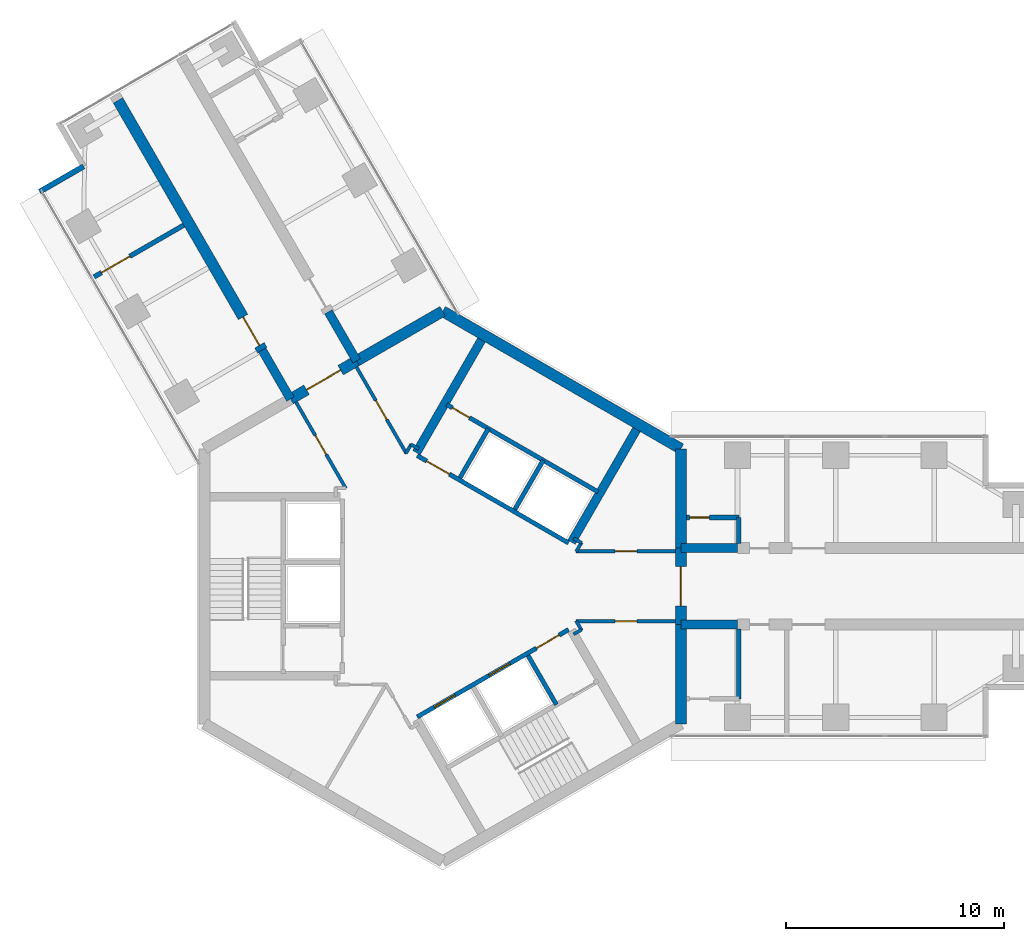
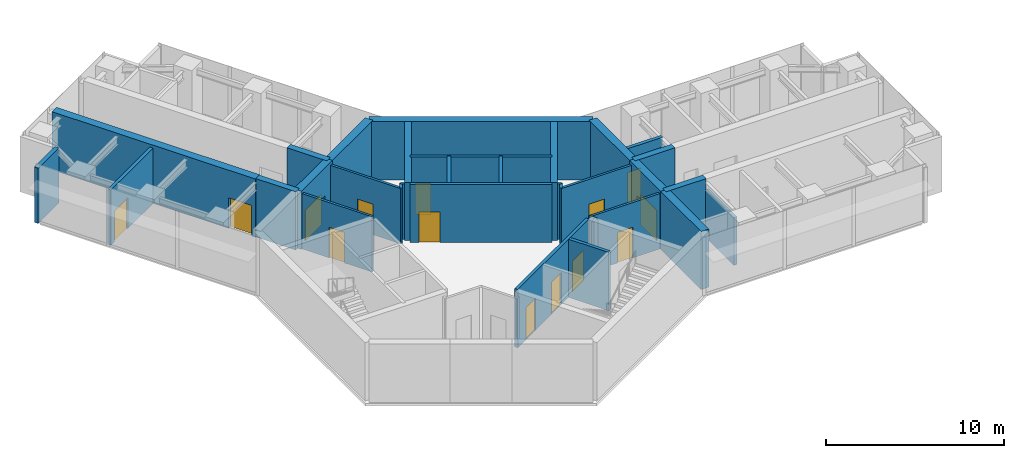
# One storey, part 12 of 17: 34 walls, 14 doors, 14 openings.
"""IFC4 building model written with IfcOpenShell, lengths in metres."""

from ifc_helpers import new_model, si_unit, direction, frame, frame_2d, origin, place, context, subcontext, project, spatial, rectangle, extrude, material, layer, layer_set, type_object, element, fill, save


model = new_model("IFC4")

# Units and contexts
model_context = context("Model", 3, precision=1e-05, world=origin(), true_north=direction((0.0, 1.0)))
body_context = subcontext(model_context, "Body", "Model", "MODEL_VIEW")
ifc_project = project(units=[si_unit("LENGTHUNIT", "METRE"), si_unit("AREAUNIT", "SQUARE_METRE"), si_unit("VOLUMEUNIT", "CUBIC_METRE"), si_unit("PLANEANGLEUNIT", "RADIAN"), si_unit("MASSUNIT", "GRAM", prefix="KILO")], contexts=[model_context])

# Site, building, storey
site_placement = place(None, origin())
site = spatial("IfcSite", under=ifc_project, at=site_placement, CompositionType="ELEMENT")
building_placement = place(site_placement, origin())
building = spatial("IfcBuilding", under=site, at=building_placement, Name="Upepo Twin Towers", CompositionType="ELEMENT")
storey_placement = place(building_placement, frame((0.0, 0.0, 174.5)))
storey = spatial("IfcBuildingStorey", under=building, at=storey_placement, Name="L42", CompositionType="ELEMENT", Elevation=174.5)

# Wall, opening, door
ifc_material_1 = material(Name="Concrete blockwork, plastered both faces", Category="masonry")
ifc_layer_1 = layer(ifc_material_1, 0.215087890625)
ifc_layer_set_1 = layer_set([ifc_layer_1], Name="Blockwork partition 215")
wall_type_1 = type_object("IfcWallType", Name="Blockwork partition 215", PredefinedType="PARTITIONING", material=ifc_layer_set_1)
wall_1_placement = place(storey_placement, frame((11.157958984375, 3.14990234375, 0.0), z_axis=(0.0, 0.0, 1.0), x_axis=(1.0, 0.0, 0.0)))
wall_1 = element("IfcWall", 1, at=wall_1_placement, inside=storey, type_object=wall_type_1, Name="T1 WC bay partition AL at 11.16", PredefinedType="PARTITIONING", context=body_context, shape_type="SweptSolid", body=[
    extrude(rectangle(XDim=2.400146484375, YDim=0.215087890625, at=frame_2d((1.2001953125, 0.0))), origin(), (0.0, 0.0, 1.0), 3.800048828125),
])
opening_1_placement = place(wall_1_placement, frame((0.14990234375, 0.0, 0.0)))
opening_1 = element("IfcOpeningElement", 2, at=opening_1_placement, cuts=wall_1, Name="Opening D14", PredefinedType="OPENING", context=body_context, shape_type="SweptSolid", body=[
    extrude(rectangle(XDim=0.89990234375, YDim=2.10009765625, at=frame_2d((0.449951171875, 1.050048828125))), frame((0.0, 0.117431640625, 0.0), z_axis=(0.0, -1.0, 0.0), x_axis=(1.0, 0.0, 0.0)), (0.0, 0.0, 1.0), 0.235107421875),
])
ifc_material_2 = material(Name="Timber doorset", Category="wood")
door_type_1 = type_object("IfcDoorType", Name="Office door 900 FD30", OperationType="SINGLE_SWING_LEFT", PredefinedType="DOOR", material=ifc_material_2)
door_1_placement = place(opening_1_placement, origin())
door_1 = element("IfcDoor", 3, at=door_1_placement, inside=storey, type_object=door_type_1, Name="T1 L42 WC bay inner room door", OperationType="SINGLE_SWING_LEFT", OverallHeight=2.10009765625, OverallWidth=0.89990234375, PredefinedType="DOOR", context=body_context, shape_type="SweptSolid", body=[
    extrude(rectangle(XDim=0.89990234375, YDim=2.10009765625, at=frame_2d((0.449951171875, 1.050048828125))), frame((0.0, 0.02490234375, 0.0), z_axis=(0.0, -1.0, 0.0), x_axis=(1.0, 0.0, 0.0)), (0.0, 0.0, 1.0), 0.050048828125),
])
fill(opening_1, door_1)

# Walls
wall_2_placement = place(storey_placement, frame((13.55810546875, 1.949951171875, 0.0), z_axis=(0.0, 0.0, 1.0), x_axis=(0.0, 1.0, 0.0)))
element("IfcWall", 4, at=wall_2_placement, inside=storey, type_object=wall_type_1, Name="T1 WC bay partition AL end at 13.56", PredefinedType="PARTITIONING", context=body_context, shape_type="SweptSolid", body=[
    extrude(rectangle(XDim=1.199951171875, YDim=0.215087890625, at=frame_2d((0.60009765625, 0.0))), origin(), (0.0, 0.0, 1.0), 3.266845703125),
])
wall_3_placement = place(storey_placement, frame((13.55810546875, -1.949951171875, 0.0), z_axis=(0.0, 0.0, 1.0), x_axis=(0.0, -1.0, 0.0)))
element("IfcWall", 5, at=wall_3_placement, inside=storey, type_object=wall_type_1, Name="T1 WC bay partition AR end at 13.56", PredefinedType="PARTITIONING", context=body_context, shape_type="SweptSolid", body=[
    extrude(rectangle(XDim=3.199951171875, YDim=0.215087890625, at=frame_2d((1.60009765625, 0.0))), origin(), (0.0, 0.0, 1.0), 3.266845703125),
])

# Wall, opening, door
wall_4_placement = place(storey_placement, frame((-11.85693359375, 16.537109375, 0.0), z_axis=(0.0, 0.0, 1.0), x_axis=(-0.866033238375, -0.499986429846, 0.0)))
wall_4 = element("IfcWall", 6, at=wall_4_placement, inside=storey, type_object=wall_type_1, Name="T1 partition BL at 20.25", PredefinedType="PARTITIONING", context=body_context, shape_type="SweptSolid", body=[
    extrude(rectangle(XDim=4.750244140625, YDim=0.215087890625, at=frame_2d((2.375, 0.0))), origin(), (0.0, 0.0, 1.0), 3.800048828125),
])
opening_2_placement = place(wall_4_placement, frame((2.85009765625, 0.0, 0.0)))
opening_2 = element("IfcOpeningElement", 7, at=opening_2_placement, cuts=wall_4, Name="Opening D13", PredefinedType="OPENING", context=body_context, shape_type="SweptSolid", body=[
    extrude(rectangle(XDim=1.5, YDim=2.10009765625, at=frame_2d((0.75, 1.050048828125))), frame((0.0, 0.117431640625, 0.0), z_axis=(0.0, -1.0, 0.0), x_axis=(1.0, 0.0, 0.0)), (0.0, 0.0, 1.0), 0.235107421875),
])
ifc_material_3 = material(Name="Timber doorset", Category="wood")
door_type_2 = type_object("IfcDoorType", Name="Double door 1500 FD30", OperationType="DOUBLE_DOOR_SINGLE_SWING", PredefinedType="DOOR", material=ifc_material_3)
door_2_placement = place(opening_2_placement, origin())
door_2 = element("IfcDoor", 8, at=door_2_placement, inside=storey, type_object=door_type_2, Name="T1 L42 connecting door", OperationType="DOUBLE_DOOR_SINGLE_SWING", OverallHeight=2.10009765625, OverallWidth=1.5, PredefinedType="DOOR", context=body_context, shape_type="SweptSolid", body=[
    extrude(rectangle(XDim=1.5, YDim=2.10009765625, at=frame_2d((0.75, 1.050048828125))), frame((0.0, 0.02490234375, 0.0), z_axis=(0.0, -1.0, 0.0), x_axis=(1.0, 0.0, 0.0)), (0.0, 0.0, 1.0), 0.050048828125),
])
fill(opening_2, door_2)

# Walls
ifc_material_4 = material(Name="Concrete C60/75", Category="concrete")
ifc_layer_2 = layer(ifc_material_4, 0.39990234375)
ifc_layer_set_2 = layer_set([ifc_layer_2], Name="Concrete C60/75")
wall_type_2 = type_object("IfcWallType", Name="Buttress wall 400 RC", PredefinedType="SHEAR", material=ifc_layer_set_2)
for number, where, z_axis, x_axis, name in (
    (9, (10.908447265625, 1.75, 0.0), (0.0, 0.0, 1.0), (1.0, 0.0, 0.0), "T1 wing A buttress wall L"),
    (10, (10.908447265625, -1.75, 0.0), (0.0, 0.0, 1.0), (1.0, 0.0, 0.0), "T1 wing A buttress wall R"),
):
    element("IfcWall", number, at=place(storey_placement, frame(where, z_axis=z_axis, x_axis=x_axis)), inside=storey, type_object=wall_type_2, Name=name, PredefinedType="SHEAR", context=body_context, shape_type="SweptSolid", body=[
        extrude(rectangle(XDim=2.591552734375, YDim=0.39990234375, at=frame_2d((1.2958984375, 0.0))), origin(), (0.0, 0.0, 1.0), 4.0),
    ])
for number, where, z_axis, x_axis, name in (
    (11, (-6.9697265625, 8.57177734375, 0.0), (0.0, 0.0, 1.0), (-0.499988811324, 0.866031863473, 0.0), "T1 wing B buttress wall L"),
    (12, (-3.938720703125, 10.32177734375, 0.0), (0.0, 0.0, 1.0), (-0.499918158782, 0.866072649678, 0.0), "T1 wing B buttress wall R"),
):
    element("IfcWall", number, at=place(storey_placement, frame(where, z_axis=z_axis, x_axis=x_axis)), inside=storey, type_object=wall_type_2, Name=name, PredefinedType="SHEAR", context=body_context, shape_type="SweptSolid", body=[
        extrude(rectangle(XDim=2.591796875, YDim=0.39990234375, at=frame_2d((1.2958984375, 0.0))), origin(), (0.0, 0.0, 1.0), 4.0),
    ])

# Wall, opening, door
ifc_material_5 = material(Name="Concrete C60/75", Category="concrete")
ifc_layer_3 = layer(ifc_material_5, 0.5)
ifc_layer_set_3 = layer_set([ifc_layer_3], Name="Concrete C60/75")
wall_type_3 = type_object("IfcWallType", Name="Buttress wall 500 RC", PredefinedType="SHEAR", material=ifc_layer_set_3)
wall_5_placement = place(storey_placement, frame((-8.265625, 10.81640625, 0.0), z_axis=(0.0, 0.0, 1.0), x_axis=(-0.499996231654, 0.866027579429, 0.0)))
wall_5 = element("IfcWall", 13, at=wall_5_placement, inside=storey, type_object=wall_type_3, Name="T1 wing B buttress wall L part 2", PredefinedType="SHEAR", context=body_context, shape_type="SweptSolid", body=[
    extrude(rectangle(XDim=13.19970703125, YDim=0.5, at=frame_2d((6.599853515625, 0.0))), origin(), (0.0, 0.0, 1.0), 4.0),
])
opening_3_placement = place(wall_5_placement, frame((0.25, 0.0, 0.0)))
opening_3 = element("IfcOpeningElement", 14, at=opening_3_placement, cuts=wall_5, Name="Opening D13", PredefinedType="OPENING", context=body_context, shape_type="SweptSolid", body=[
    extrude(rectangle(XDim=1.5, YDim=2.10009765625, at=frame_2d((0.75, 1.050048828125))), frame((0.0, 0.260009765625, 0.0), z_axis=(0.0, -1.0, 0.0), x_axis=(1.0, 0.0, 0.0)), (0.0, 0.0, 1.0), 0.52001953125),
])
door_3_placement = place(opening_3_placement, origin())
door_3 = element("IfcDoor", 15, at=door_3_placement, inside=storey, type_object=door_type_2, Name="T1 L42 engineering laboratory door", OperationType="DOUBLE_DOOR_SINGLE_SWING", OverallHeight=2.10009765625, OverallWidth=1.5, PredefinedType="DOOR", context=body_context, shape_type="SweptSolid", body=[
    extrude(rectangle(XDim=1.5, YDim=2.10009765625, at=frame_2d((0.75, 1.050048828125))), frame((0.0, 0.02490234375, 0.0), z_axis=(0.0, -1.0, 0.0), x_axis=(1.0, 0.0, 0.0)), (0.0, 0.0, 1.0), 0.050048828125),
])
fill(opening_3, door_3)

# Wall
ifc_material_6 = material(Name="Concrete C60/75", Category="concrete")
ifc_layer_4 = layer(ifc_material_6, 0.5)
ifc_layer_set_4 = layer_set([ifc_layer_4], Name="Concrete C60/75")
wall_type_4 = type_object("IfcWallType", Name="Core wall 500 RC", PredefinedType="SHEAR", material=ifc_layer_set_4)
wall_6_placement = place(storey_placement, frame((10.908447265625, -6.2978515625, 0.0), z_axis=(0.0, 0.0, 1.0), x_axis=(0.0, 1.0, 0.0)))
element("IfcWall", 16, at=wall_6_placement, inside=storey, type_object=wall_type_4, Name="T1 core wall 000 R", PredefinedType="SHEAR", context=body_context, shape_type="SweptSolid", body=[
    extrude(rectangle(XDim=4.5478515625, YDim=0.5, at=frame_2d((2.27392578125, 0.0))), origin(), (0.0, 0.0, 1.0), 4.0),
])

# Wall, opening, door
wall_7_placement = place(storey_placement, frame((10.908447265625, -1.75, 0.0), z_axis=(0.0, 0.0, 1.0), x_axis=(0.0, 1.0, 0.0)))
wall_7 = element("IfcWall", 17, at=wall_7_placement, inside=storey, type_object=wall_type_4, Name="T1 core wall 000", PredefinedType="SHEAR", context=body_context, shape_type="SweptSolid", body=[
    extrude(rectangle(XDim=3.5, YDim=0.5, at=frame_2d((1.75, 0.0))), origin(), (0.0, 0.0, 1.0), 4.0),
])
opening_4_placement = place(wall_7_placement, frame((0.85009765625, 0.0, 0.0)))
opening_4 = element("IfcOpeningElement", 18, at=opening_4_placement, cuts=wall_7, Name="Opening D2", PredefinedType="OPENING", context=body_context, shape_type="SweptSolid", body=[
    extrude(rectangle(XDim=1.800048828125, YDim=2.10009765625, at=frame_2d((0.89990234375, 1.050048828125))), frame((0.0, 0.260009765625, 0.0), z_axis=(0.0, -1.0, 0.0), x_axis=(1.0, 0.0, 0.0)), (0.0, 0.0, 1.0), 0.52001953125),
])
ifc_material_7 = material(Name="Timber doorset", Category="wood")
door_type_3 = type_object("IfcDoorType", Name="Corridor double door 1800 FD60", OperationType="DOUBLE_DOOR_DOUBLE_SWING", PredefinedType="DOOR", material=ifc_material_7)
door_4_placement = place(opening_4_placement, origin())
door_4 = element("IfcDoor", 19, at=door_4_placement, inside=storey, type_object=door_type_3, Name="T1 L42 wing A corridor door", OperationType="DOUBLE_DOOR_DOUBLE_SWING", OverallHeight=2.10009765625, OverallWidth=1.800048828125, PredefinedType="DOOR", context=body_context, shape_type="SweptSolid", body=[
    extrude(rectangle(XDim=1.800048828125, YDim=2.10009765625, at=frame_2d((0.89990234375, 1.050048828125))), frame((0.0, 0.02490234375, 0.0), z_axis=(0.0, -1.0, 0.0), x_axis=(1.0, 0.0, 0.0)), (0.0, 0.0, 1.0), 0.050048828125),
])
fill(opening_4, door_4)

# Walls
wall_8_placement = place(storey_placement, frame((10.908447265625, 1.75, 0.0), z_axis=(0.0, 0.0, 1.0), x_axis=(0.0, 1.0, 0.0)))
element("IfcWall", 20, at=wall_8_placement, inside=storey, type_object=wall_type_4, Name="T1 core wall 000 L", PredefinedType="SHEAR", context=body_context, shape_type="SweptSolid", body=[
    extrude(rectangle(XDim=4.5478515625, YDim=0.5, at=frame_2d((2.27392578125, 0.0))), origin(), (0.0, 0.0, 1.0), 4.0),
])
wall_9_placement = place(storey_placement, frame((10.908447265625, 6.2978515625, 0.0), z_axis=(0.0, 0.0, 1.0), x_axis=(-0.866021940709, 0.500005998175, 0.0)))
element("IfcWall", 21, at=wall_9_placement, inside=storey, type_object=wall_type_4, Name="T1 core wall 060", PredefinedType="SHEAR", context=body_context, shape_type="SweptSolid", body=[
    extrude(rectangle(XDim=12.595947265625, YDim=0.5, at=frame_2d((6.2978515625, 0.0))), origin(), (0.0, 0.0, 1.0), 4.0),
])
wall_10_placement = place(storey_placement, frame((0.0, 12.595947265625, 0.0), z_axis=(0.0, 0.0, 1.0), x_axis=(-0.866011268655, -0.500024481964, 0.0)))
element("IfcWall", 22, at=wall_10_placement, inside=storey, type_object=wall_type_4, Name="T1 core wall 120 R", PredefinedType="SHEAR", context=body_context, shape_type="SweptSolid", body=[
    extrude(rectangle(XDim=4.548095703125, YDim=0.5, at=frame_2d((2.27392578125, 0.0))), origin(), (0.0, 0.0, 1.0), 4.0),
])

# Wall, opening, door
wall_11_placement = place(storey_placement, frame((-3.938720703125, 10.32177734375, 0.0), z_axis=(0.0, 0.0, 1.0), x_axis=(-0.866019471182, -0.500010275428, 0.0)))
wall_11 = element("IfcWall", 23, at=wall_11_placement, inside=storey, type_object=wall_type_4, Name="T1 core wall 120", PredefinedType="SHEAR", context=body_context, shape_type="SweptSolid", body=[
    extrude(rectangle(XDim=3.5, YDim=0.5, at=frame_2d((1.75, 0.0))), origin(), (0.0, 0.0, 1.0), 4.0),
])
opening_5_placement = place(wall_11_placement, frame((0.85009765625, 0.0, 0.0)))
opening_5 = element("IfcOpeningElement", 24, at=opening_5_placement, cuts=wall_11, Name="Opening D2", PredefinedType="OPENING", context=body_context, shape_type="SweptSolid", body=[
    extrude(rectangle(XDim=1.800048828125, YDim=2.10009765625, at=frame_2d((0.89990234375, 1.050048828125))), frame((0.0, 0.260009765625, 0.0), z_axis=(0.0, -1.0, 0.0), x_axis=(1.0, 0.0, 0.0)), (0.0, 0.0, 1.0), 0.52001953125),
])
door_5_placement = place(opening_5_placement, origin())
door_5 = element("IfcDoor", 25, at=door_5_placement, inside=storey, type_object=door_type_3, Name="T1 L42 wing B corridor door", OperationType="DOUBLE_DOOR_DOUBLE_SWING", OverallHeight=2.10009765625, OverallWidth=1.800048828125, PredefinedType="DOOR", context=body_context, shape_type="SweptSolid", body=[
    extrude(rectangle(XDim=1.800048828125, YDim=2.10009765625, at=frame_2d((0.89990234375, 1.050048828125))), frame((0.0, 0.02490234375, 0.0), z_axis=(0.0, -1.0, 0.0), x_axis=(1.0, 0.0, 0.0)), (0.0, 0.0, 1.0), 0.050048828125),
])
fill(opening_5, door_5)

# Wall
ifc_material_8 = material(Name="Blockwork with anodised aluminium cladding", Category="masonry")
ifc_layer_5 = layer(ifc_material_8, 0.25)
ifc_layer_set_5 = layer_set([ifc_layer_5], Name="Notch cladding wall 250, pale metal")
wall_type_5 = type_object("IfcWallType", Name="Notch cladding wall 250, pale metal", PredefinedType="STANDARD", material=ifc_layer_set_5)
wall_12_placement = place(storey_placement, frame((-18.456298828125, 18.0673828125, 0.0), z_axis=(0.0, 0.0, 1.0), x_axis=(0.865998469481, 0.500046648681, 0.0)))
element("IfcWall", 26, at=wall_12_placement, inside=storey, type_object=wall_type_5, Name="T1 L42 wing B notch wall L1", PredefinedType="STANDARD", context=body_context, shape_type="SweptSolid", body=[
    extrude(rectangle(XDim=2.324951171875, YDim=0.25, at=frame_2d((1.16259765625, 0.0))), origin(), (0.0, 0.0, 1.0), 3.800048828125),
])

# Wall, opening, door
ifc_material_9 = material(Name="Concrete C40/50", Category="concrete")
ifc_layer_6 = layer(ifc_material_9, 0.199951171875)
ifc_layer_set_6 = layer_set([ifc_layer_6], Name="Concrete C40/50")
wall_type_6 = type_object("IfcWallType", Name="Shaft wall 200 RC", PredefinedType="SHEAR", material=ifc_layer_set_6)
wall_13_placement = place(storey_placement, frame((5.76416015625, 1.983642578125, 0.0), z_axis=(0.0, 0.0, 1.0), x_axis=(-0.866026010844, 0.49999894854, 0.0)))
wall_13 = element("IfcWall", 27, at=wall_13_placement, inside=storey, type_object=wall_type_6, Name="T1 core W60 front wall", PredefinedType="SHEAR", context=body_context, shape_type="SweptSolid", body=[
    extrude(rectangle(XDim=8.0, YDim=0.199951171875, at=frame_2d((4.0, 0.0))), origin(), (0.0, 0.0, 1.0), 4.0),
])
opening_6_placement = place(wall_13_placement, frame((6.300048828125, 0.0, 0.0)))
opening_6 = element("IfcOpeningElement", 28, at=opening_6_placement, cuts=wall_13, Name="Opening D4", PredefinedType="OPENING", context=body_context, shape_type="SweptSolid", body=[
    extrude(rectangle(XDim=1.199951171875, YDim=2.10009765625, at=frame_2d((0.60009765625, 1.050048828125))), frame((0.0, 0.10986328125, 0.0), z_axis=(0.0, -1.0, 0.0), x_axis=(1.0, 0.0, 0.0)), (0.0, 0.0, 1.0), 0.219970703125),
])
ifc_material_10 = material(Name="Timber doorset", Category="wood")
door_type_4 = type_object("IfcDoorType", Name="Lobby door 1200 FD60", OperationType="SINGLE_SWING_LEFT", PredefinedType="DOOR", material=ifc_material_10)
door_6_placement = place(opening_6_placement, origin())
door_6 = element("IfcDoor", 29, at=door_6_placement, inside=storey, type_object=door_type_4, Name="T1 L42 W60 lobby door", OperationType="SINGLE_SWING_RIGHT", OverallHeight=2.10009765625, OverallWidth=1.199951171875, PredefinedType="DOOR", context=body_context, shape_type="SweptSolid", body=[
    extrude(rectangle(XDim=1.199951171875, YDim=2.10009765625, at=frame_2d((0.60009765625, 1.050048828125))), frame((0.0, 0.02490234375, 0.0), z_axis=(0.0, -1.0, 0.0), x_axis=(1.0, 0.0, 0.0)), (0.0, 0.0, 1.0), 0.050048828125),
])
fill(opening_6, door_6)

# Walls
for number, where, z_axis, x_axis, name in (
    (30, (3.302734375, 3.520263671875, 0.0), (0.0, 0.0, 1.0), (0.499936506574, 0.866062058628, 0.0), "T1 core W60 shaft divider"),
    (31, (0.791259765625, 4.97021484375, 0.0), (0.0, 0.0, 1.0), (0.499936506574, 0.866062058628, 0.0), "T1 core W60 lobby wall"),
):
    element("IfcWall", number, at=place(storey_placement, frame(where, z_axis=z_axis, x_axis=x_axis)), inside=storey, type_object=wall_type_6, Name=name, PredefinedType="SHEAR", context=body_context, shape_type="SweptSolid", body=[
        extrude(rectangle(XDim=2.599853515625, YDim=0.199951171875, at=frame_2d((1.2998046875, 0.0))), origin(), (0.0, 0.0, 1.0), 4.0),
    ])

# Wall, opening, door
wall_14_placement = place(storey_placement, frame((7.114013671875, 4.322021484375, 0.0), z_axis=(0.0, 0.0, 1.0), x_axis=(-0.866026010844, 0.49999894854, 0.0)))
wall_14 = element("IfcWall", 32, at=wall_14_placement, inside=storey, type_object=wall_type_6, Name="T1 core W60 stair wall", PredefinedType="SHEAR", context=body_context, shape_type="SweptSolid", body=[
    extrude(rectangle(XDim=8.0, YDim=0.199951171875, at=frame_2d((4.0, 0.0))), origin(), (0.0, 0.0, 1.0), 4.0),
])
opening_7_placement = place(wall_14_placement, frame((6.800048828125, 0.0, 0.0)))
opening_7 = element("IfcOpeningElement", 33, at=opening_7_placement, cuts=wall_14, Name="Opening D9", PredefinedType="OPENING", context=body_context, shape_type="SweptSolid", body=[
    extrude(rectangle(XDim=0.89990234375, YDim=2.10009765625, at=frame_2d((0.449951171875, 1.050048828125))), frame((0.0, 0.10986328125, 0.0), z_axis=(0.0, -1.0, 0.0), x_axis=(1.0, 0.0, 0.0)), (0.0, 0.0, 1.0), 0.219970703125),
])
ifc_material_11 = material(Name="Timber doorset", Category="wood")
door_type_5 = type_object("IfcDoorType", Name="Riser door 900 FD60", OperationType="SINGLE_SWING_LEFT", PredefinedType="DOOR", material=ifc_material_11)
door_7_placement = place(opening_7_placement, origin())
door_7 = element("IfcDoor", 34, at=door_7_placement, inside=storey, type_object=door_type_5, Name="T1 L42 riser door", OperationType="SINGLE_SWING_RIGHT", OverallHeight=2.10009765625, OverallWidth=0.89990234375, PredefinedType="DOOR", context=body_context, shape_type="SweptSolid", body=[
    extrude(rectangle(XDim=0.89990234375, YDim=2.10009765625, at=frame_2d((0.449951171875, 1.050048828125))), frame((0.0, 0.02490234375, 0.0), z_axis=(0.0, -1.0, 0.0), x_axis=(1.0, 0.0, 0.0)), (0.0, 0.0, 1.0), 0.050048828125),
])
fill(opening_7, door_7)

# Wall, openings, doors
wall_15_placement = place(storey_placement, frame((-1.1640625, -5.983642578125, 0.0), z_axis=(0.0, 0.0, 1.0), x_axis=(0.866026010844, 0.49999894854, 0.0)))
wall_15 = element("IfcWall", 35, at=wall_15_placement, inside=storey, type_object=wall_type_6, Name="T1 core W300 front wall", PredefinedType="SHEAR", context=body_context, shape_type="SweptSolid", body=[
    extrude(rectangle(XDim=8.0, YDim=0.199951171875, at=frame_2d((4.0, 0.0))), origin(), (0.0, 0.0, 1.0), 4.0),
])
opening_8_placement = place(wall_15_placement, frame((6.300048828125, 0.0, 0.0)))
opening_8 = element("IfcOpeningElement", 36, at=opening_8_placement, cuts=wall_15, Name="Opening D4", PredefinedType="OPENING", context=body_context, shape_type="SweptSolid", body=[
    extrude(rectangle(XDim=1.199951171875, YDim=2.10009765625, at=frame_2d((0.60009765625, 1.050048828125))), frame((0.0, 0.10986328125, 0.0), z_axis=(0.0, -1.0, 0.0), x_axis=(1.0, 0.0, 0.0)), (0.0, 0.0, 1.0), 0.219970703125),
])
opening_9_placement = place(wall_15_placement, frame((0.89990234375, 0.0, 0.0)))
opening_9 = element("IfcOpeningElement", 37, at=opening_9_placement, cuts=wall_15, Name="Opening LD1", PredefinedType="OPENING", context=body_context, shape_type="SweptSolid", body=[
    extrude(rectangle(XDim=1.10009765625, YDim=2.199951171875, at=frame_2d((0.550048828125, 1.10009765625))), frame((0.0, 0.10986328125, 0.0), z_axis=(0.0, -1.0, 0.0), x_axis=(1.0, 0.0, 0.0)), (0.0, 0.0, 1.0), 0.219970703125),
])
opening_10_placement = place(wall_15_placement, frame((3.800048828125, 0.0, 0.0)))
opening_10 = element("IfcOpeningElement", 38, at=opening_10_placement, cuts=wall_15, Name="Opening LD1", PredefinedType="OPENING", context=body_context, shape_type="SweptSolid", body=[
    extrude(rectangle(XDim=1.10009765625, YDim=2.199951171875, at=frame_2d((0.550048828125, 1.10009765625))), frame((0.0, 0.10986328125, 0.0), z_axis=(0.0, -1.0, 0.0), x_axis=(1.0, 0.0, 0.0)), (0.0, 0.0, 1.0), 0.219970703125),
])
ifc_material_12 = material(Name="Steel doorset", Category="steel")
door_type_6 = type_object("IfcDoorType", Name="Lift landing door 1100", OperationType="DOUBLE_DOOR_SLIDING", PredefinedType="DOOR", material=ifc_material_12)
door_8_placement = place(opening_9_placement, origin())
door_8 = element("IfcDoor", 39, at=door_8_placement, inside=storey, type_object=door_type_6, Name="T1 L42 lift UL1 landing door", OperationType="DOUBLE_DOOR_SLIDING", OverallHeight=2.199951171875, OverallWidth=1.10009765625, PredefinedType="DOOR", context=body_context, shape_type="SweptSolid", body=[
    extrude(rectangle(XDim=1.10009765625, YDim=2.199951171875, at=frame_2d((0.550048828125, 1.10009765625))), frame((0.0, 0.02490234375, 0.0), z_axis=(0.0, -1.0, 0.0), x_axis=(1.0, 0.0, 0.0)), (0.0, 0.0, 1.0), 0.050048828125),
])
fill(opening_9, door_8)
door_9_placement = place(opening_10_placement, origin())
door_9 = element("IfcDoor", 40, at=door_9_placement, inside=storey, type_object=door_type_6, Name="T1 L42 lift UL2 landing door", OperationType="DOUBLE_DOOR_SLIDING", OverallHeight=2.199951171875, OverallWidth=1.10009765625, PredefinedType="DOOR", context=body_context, shape_type="SweptSolid", body=[
    extrude(rectangle(XDim=1.10009765625, YDim=2.199951171875, at=frame_2d((0.550048828125, 1.10009765625))), frame((0.0, 0.02490234375, 0.0), z_axis=(0.0, -1.0, 0.0), x_axis=(1.0, 0.0, 0.0)), (0.0, 0.0, 1.0), 0.050048828125),
])
fill(opening_10, door_9)
door_10_placement = place(opening_8_placement, origin())
door_10 = element("IfcDoor", 41, at=door_10_placement, inside=storey, type_object=door_type_4, Name="T1 L42 W300 lobby door", OperationType="SINGLE_SWING_RIGHT", OverallHeight=2.10009765625, OverallWidth=1.199951171875, PredefinedType="DOOR", context=body_context, shape_type="SweptSolid", body=[
    extrude(rectangle(XDim=1.199951171875, YDim=2.10009765625, at=frame_2d((0.60009765625, 1.050048828125))), frame((0.0, 0.02490234375, 0.0), z_axis=(0.0, -1.0, 0.0), x_axis=(1.0, 0.0, 0.0)), (0.0, 0.0, 1.0), 0.050048828125),
])
fill(opening_8, door_10)

# Walls
wall_16_placement = place(storey_placement, frame((3.908935546875, -3.17041015625, 0.0), z_axis=(0.0, 0.0, 1.0), x_axis=(0.49997716683, -0.86603858612, 0.0)))
element("IfcWall", 42, at=wall_16_placement, inside=storey, type_object=wall_type_6, Name="T1 core W300 lobby wall", PredefinedType="SHEAR", context=body_context, shape_type="SweptSolid", body=[
    extrude(rectangle(XDim=2.599609375, YDim=0.199951171875, at=frame_2d((1.2998046875, 0.0))), origin(), (0.0, 0.0, 1.0), 4.0),
])
ifc_material_13 = material(Name="Concrete C40/50", Category="concrete")
ifc_layer_7 = layer(ifc_material_13, 0.39990234375)
ifc_layer_set_7 = layer_set([ifc_layer_7], Name="Concrete C40/50")
wall_type_7 = type_object("IfcWallType", Name="Shaft wall 400 RC", PredefinedType="SHEAR", material=ifc_layer_set_7)
wall_17_placement = place(storey_placement, frame((-1.20068359375, 6.120361328125, 0.0), z_axis=(0.0, 0.0, 1.0), x_axis=(0.500021575205, 0.866012946976, 0.0)))
element("IfcWall", 43, at=wall_17_placement, inside=storey, type_object=wall_type_7, Name="T1 core W60 side wall N", PredefinedType="SHEAR", context=body_context, shape_type="SweptSolid", body=[
    extrude(rectangle(XDim=5.958251953125, YDim=0.39990234375, at=frame_2d((2.97900390625, 0.0))), origin(), (0.0, 0.0, 1.0), 4.0),
])
wall_18_placement = place(storey_placement, frame((5.900634765625, 2.020263671875, 0.0), z_axis=(0.0, 0.0, 1.0), x_axis=(0.500003832394, 0.86602319114, 0.0)))
element("IfcWall", 44, at=wall_18_placement, inside=storey, type_object=wall_type_7, Name="T1 core W60 side wall S", PredefinedType="SHEAR", context=body_context, shape_type="SweptSolid", body=[
    extrude(rectangle(XDim=5.95849609375, YDim=0.39990234375, at=frame_2d((2.979248046875, 0.0))), origin(), (0.0, 0.0, 1.0), 4.0),
])
ifc_material_14 = material(Name="Gypsum board on steel studs", Category="steel")
ifc_layer_8 = layer(ifc_material_14, 0.14990234375)
ifc_layer_set_8 = layer_set([ifc_layer_8], Name="Teaching partition 150 acoustic")
wall_type_8 = type_object("IfcWallType", Name="Teaching partition 150 acoustic", PredefinedType="PARTITIONING", material=ifc_layer_set_8)
wall_19_placement = place(storey_placement, frame((6.364501953125, -1.9833984375, 0.0), z_axis=(0.0, 0.0, 1.0), x_axis=(-0.865892400268, -0.500230298122, 0.0)))
element("IfcWall", 45, at=wall_19_placement, inside=storey, type_object=wall_type_8, Name="T1 core room partition 1", PredefinedType="PARTITIONING", context=body_context, shape_type="SweptSolid", body=[
    extrude(rectangle(XDim=0.429931640625, YDim=0.14990234375, at=frame_2d((0.21484375, 0.0))), origin(), (0.0, 0.0, 1.0), 3.800048828125),
])

# Wall, opening, door
wall_20_placement = place(storey_placement, frame((-4.435546875, 4.482666015625, 0.0), z_axis=(0.0, 0.0, 1.0), x_axis=(-0.500001558674, 0.866024503882, 0.0)))
wall_20 = element("IfcWall", 46, at=wall_20_placement, inside=storey, type_object=wall_type_8, Name="T1 core room partition 8", PredefinedType="PARTITIONING", context=body_context, shape_type="SweptSolid", body=[
    extrude(rectangle(XDim=4.568359375, YDim=0.14990234375, at=frame_2d((2.2841796875, 0.0))), origin(), (0.0, 0.0, 1.0), 3.800048828125),
])
opening_11_placement = place(wall_20_placement, frame((1.794189453125, 0.0, 0.0)))
opening_11 = element("IfcOpeningElement", 47, at=opening_11_placement, cuts=wall_20, Name="Opening D1", PredefinedType="OPENING", context=body_context, shape_type="SweptSolid", body=[
    extrude(rectangle(XDim=1.0, YDim=2.10009765625, at=frame_2d((0.5, 1.050048828125))), frame((0.0, 0.0849609375, 0.0), z_axis=(0.0, -1.0, 0.0), x_axis=(1.0, 0.0, 0.0)), (0.0, 0.0, 1.0), 0.169921875),
])
ifc_material_15 = material(Name="Timber doorset", Category="wood")
door_type_7 = type_object("IfcDoorType", Name="Room door 1000 FD30", OperationType="SINGLE_SWING_LEFT", PredefinedType="DOOR", material=ifc_material_15)
door_11_placement = place(opening_11_placement, origin())
door_11 = element("IfcDoor", 48, at=door_11_placement, inside=storey, type_object=door_type_7, Name="T1 L42 core room door K6", OperationType="SINGLE_SWING_RIGHT", OverallHeight=2.10009765625, OverallWidth=1.0, PredefinedType="DOOR", context=body_context, shape_type="SweptSolid", body=[
    extrude(rectangle(XDim=1.0, YDim=2.10009765625, at=frame_2d((0.5, 1.050048828125))), frame((0.0, 0.02490234375, 0.0), z_axis=(0.0, -1.0, 0.0), x_axis=(1.0, 0.0, 0.0)), (0.0, 0.0, 1.0), 0.050048828125),
])
fill(opening_11, door_11)

wall_21_placement = place(storey_placement, frame((-3.948486328125, 10.0390625, 0.0), z_axis=(0.0, 0.0, 1.0), x_axis=(0.500001558674, -0.866024503882, 0.0)))
wall_21 = element("IfcWall", 49, at=wall_21_placement, inside=storey, type_object=wall_type_8, Name="T1 core room partition 9", PredefinedType="PARTITIONING", context=body_context, shape_type="SweptSolid", body=[
    extrude(rectangle(XDim=4.568359375, YDim=0.14990234375, at=frame_2d((2.2841796875, 0.0))), origin(), (0.0, 0.0, 1.0), 3.800048828125),
])
opening_12_placement = place(wall_21_placement, frame((1.774169921875, 0.0, 0.0)))
opening_12 = element("IfcOpeningElement", 50, at=opening_12_placement, cuts=wall_21, Name="Opening D1", PredefinedType="OPENING", context=body_context, shape_type="SweptSolid", body=[
    extrude(rectangle(XDim=1.0, YDim=2.10009765625, at=frame_2d((0.5, 1.050048828125))), frame((0.0, 0.0849609375, 0.0), z_axis=(0.0, -1.0, 0.0), x_axis=(1.0, 0.0, 0.0)), (0.0, 0.0, 1.0), 0.169921875),
])
door_12_placement = place(opening_12_placement, origin())
door_12 = element("IfcDoor", 51, at=door_12_placement, inside=storey, type_object=door_type_7, Name="T1 L42 core room door K5", OperationType="SINGLE_SWING_LEFT", OverallHeight=2.10009765625, OverallWidth=1.0, PredefinedType="DOOR", context=body_context, shape_type="SweptSolid", body=[
    extrude(rectangle(XDim=1.0, YDim=2.10009765625, at=frame_2d((0.5, 1.050048828125))), frame((0.0, 0.02490234375, 0.0), z_axis=(0.0, -1.0, 0.0), x_axis=(1.0, 0.0, 0.0)), (0.0, 0.0, 1.0), 0.050048828125),
])
fill(opening_12, door_12)

# Walls
wall_22_placement = place(storey_placement, frame((-1.684326171875, 6.082763671875, 0.0), z_axis=(0.0, 0.0, 1.0), x_axis=(0.50033519877, 0.865831790172, 0.0)))
element("IfcWall", 52, at=wall_22_placement, inside=storey, type_object=wall_type_8, Name="T1 core room partition 10", PredefinedType="PARTITIONING", context=body_context, shape_type="SweptSolid", body=[
    extrude(rectangle(XDim=0.494384765625, YDim=0.14990234375, at=frame_2d((0.2470703125, 0.0))), origin(), (0.0, 0.0, 1.0), 3.800048828125),
])
for number, where, z_axis, x_axis, name in (
    (53, (-1.46435546875, 6.50341796875, 0.0), (0.0, 0.0, 1.0), (0.866138304741, -0.499804398801, 0.0), "T1 core room partition 11"),
    (54, (5.9921875, 2.198486328125, 0.0), (0.0, 0.0, 1.0), (0.865892400268, -0.500230298122, 0.0), "T1 core room partition 12"),
):
    element("IfcWall", number, at=place(storey_placement, frame(where, z_axis=z_axis, x_axis=x_axis)), inside=storey, type_object=wall_type_8, Name=name, PredefinedType="PARTITIONING", context=body_context, shape_type="SweptSolid", body=[
        extrude(rectangle(XDim=0.429931640625, YDim=0.14990234375, at=frame_2d((0.21484375, 0.0))), origin(), (0.0, 0.0, 1.0), 3.800048828125),
    ])
wall_23_placement = place(storey_placement, frame((6.357177734375, 2.0107421875, 0.0), z_axis=(0.0, 0.0, 1.0), x_axis=(-0.50033519877, -0.865831790172, 0.0)))
element("IfcWall", 55, at=wall_23_placement, inside=storey, type_object=wall_type_8, Name="T1 core room partition 13", PredefinedType="PARTITIONING", context=body_context, shape_type="SweptSolid", body=[
    extrude(rectangle(XDim=0.494384765625, YDim=0.14990234375, at=frame_2d((0.2470703125, 0.0))), origin(), (0.0, 0.0, 1.0), 3.800048828125),
])

# Wall, opening, door
wall_24_placement = place(storey_placement, frame((6.099853515625, 1.60009765625, 0.0), z_axis=(0.0, 0.0, 1.0), x_axis=(1.0, 0.0, 0.0)))
wall_24 = element("IfcWall", 56, at=wall_24_placement, inside=storey, type_object=wall_type_8, Name="T1 core room partition 14", PredefinedType="PARTITIONING", context=body_context, shape_type="SweptSolid", body=[
    extrude(rectangle(XDim=4.568359375, YDim=0.14990234375, at=frame_2d((2.2841796875, 0.0))), origin(), (0.0, 0.0, 1.0), 3.800048828125),
])
opening_13_placement = place(wall_24_placement, frame((1.79443359375, 0.0, 0.0)))
opening_13 = element("IfcOpeningElement", 57, at=opening_13_placement, cuts=wall_24, Name="Opening D1", PredefinedType="OPENING", context=body_context, shape_type="SweptSolid", body=[
    extrude(rectangle(XDim=1.0, YDim=2.10009765625, at=frame_2d((0.5, 1.050048828125))), frame((0.0, 0.0849609375, 0.0), z_axis=(0.0, -1.0, 0.0), x_axis=(1.0, 0.0, 0.0)), (0.0, 0.0, 1.0), 0.169921875),
])
door_13_placement = place(opening_13_placement, origin())
door_13 = element("IfcDoor", 58, at=door_13_placement, inside=storey, type_object=door_type_7, Name="T1 L42 core room door K4", OperationType="SINGLE_SWING_RIGHT", OverallHeight=2.10009765625, OverallWidth=1.0, PredefinedType="DOOR", context=body_context, shape_type="SweptSolid", body=[
    extrude(rectangle(XDim=1.0, YDim=2.10009765625, at=frame_2d((0.5, 1.050048828125))), frame((0.0, 0.02490234375, 0.0), z_axis=(0.0, -1.0, 0.0), x_axis=(1.0, 0.0, 0.0)), (0.0, 0.0, 1.0), 0.050048828125),
])
fill(opening_13, door_13)

wall_25_placement = place(storey_placement, frame((10.668212890625, -1.60009765625, 0.0), z_axis=(0.0, 0.0, 1.0), x_axis=(-1.0, 0.0, 0.0)))
wall_25 = element("IfcWall", 59, at=wall_25_placement, inside=storey, type_object=wall_type_8, Name="T1 core room partition 15", PredefinedType="PARTITIONING", context=body_context, shape_type="SweptSolid", body=[
    extrude(rectangle(XDim=4.568359375, YDim=0.14990234375, at=frame_2d((2.2841796875, 0.0))), origin(), (0.0, 0.0, 1.0), 3.800048828125),
])
opening_14_placement = place(wall_25_placement, frame((1.774169921875, 0.0, 0.0)))
opening_14 = element("IfcOpeningElement", 60, at=opening_14_placement, cuts=wall_25, Name="Opening D1", PredefinedType="OPENING", context=body_context, shape_type="SweptSolid", body=[
    extrude(rectangle(XDim=1.0, YDim=2.10009765625, at=frame_2d((0.5, 1.050048828125))), frame((0.0, 0.0849609375, 0.0), z_axis=(0.0, -1.0, 0.0), x_axis=(1.0, 0.0, 0.0)), (0.0, 0.0, 1.0), 0.169921875),
])
door_14_placement = place(opening_14_placement, origin())
door_14 = element("IfcDoor", 61, at=door_14_placement, inside=storey, type_object=door_type_7, Name="T1 L42 core room door K3", OperationType="SINGLE_SWING_LEFT", OverallHeight=2.10009765625, OverallWidth=1.0, PredefinedType="DOOR", context=body_context, shape_type="SweptSolid", body=[
    extrude(rectangle(XDim=1.0, YDim=2.10009765625, at=frame_2d((0.5, 1.050048828125))), frame((0.0, 0.02490234375, 0.0), z_axis=(0.0, -1.0, 0.0), x_axis=(1.0, 0.0, 0.0)), (0.0, 0.0, 1.0), 0.050048828125),
])
fill(opening_14, door_14)

# Wall
wall_26_placement = place(storey_placement, frame((6.10986328125, -1.582763671875, 0.0), z_axis=(0.0, 0.0, 1.0), x_axis=(0.50033519877, -0.865831790172, 0.0)))
element("IfcWall", 62, at=wall_26_placement, inside=storey, type_object=wall_type_8, Name="T1 core room partition 16", PredefinedType="PARTITIONING", context=body_context, shape_type="SweptSolid", body=[
    extrude(rectangle(XDim=0.494384765625, YDim=0.14990234375, at=frame_2d((0.2470703125, 0.0))), origin(), (0.0, 0.0, 1.0), 3.800048828125),
])

save(model, "model.ifc")
